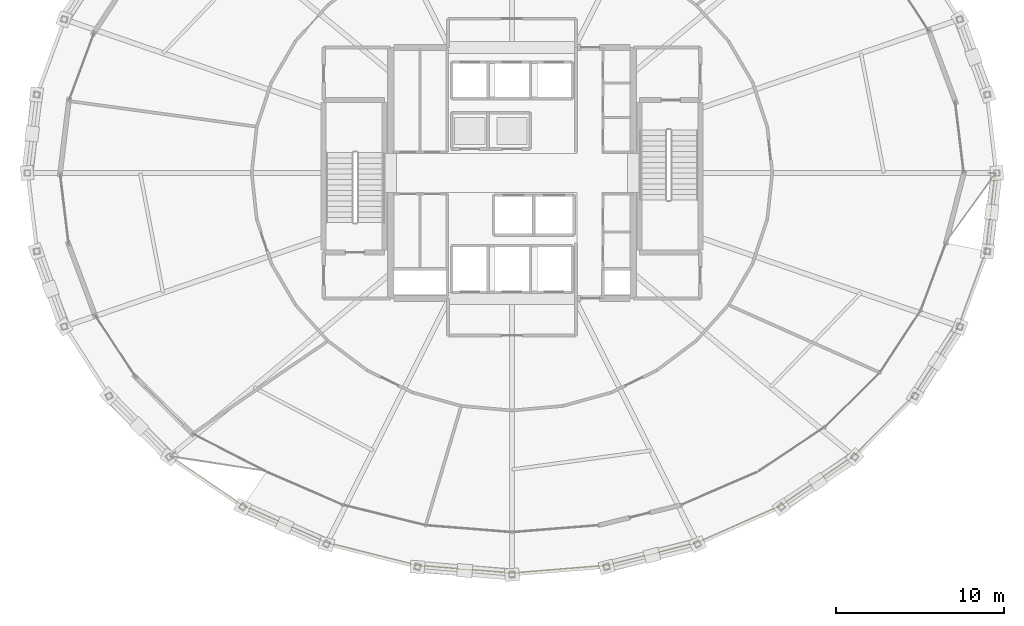
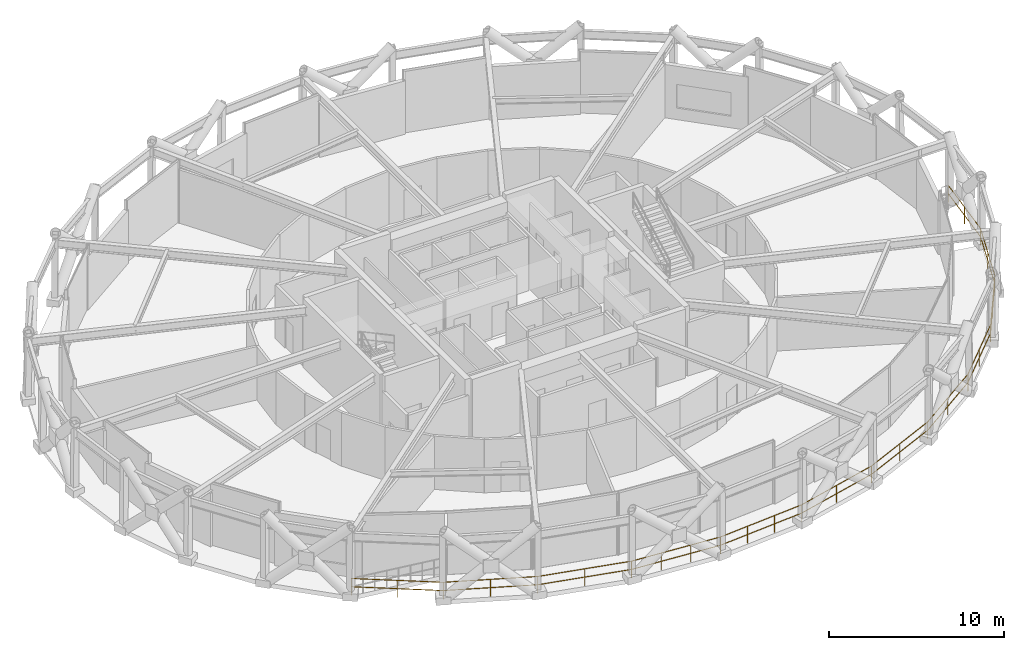
# One storey, part 37 of 39: 1 railing.
"""IFC4 building model written with IfcOpenShell, lengths in metres."""

from ifc_helpers import new_model, si_unit, direction, frame, origin, origin_2d, place, context, subcontext, project, spatial, circle, extrude, material, type_object, element, save


model = new_model("IFC4")

# Units and contexts
model_context = context("Model", 3, precision=1e-05, world=origin(), true_north=direction((0.0, 1.0)))
body_context = subcontext(model_context, "Body", "Model", "MODEL_VIEW")
ifc_project = project(units=[si_unit("LENGTHUNIT", "METRE"), si_unit("AREAUNIT", "SQUARE_METRE"), si_unit("VOLUMEUNIT", "CUBIC_METRE"), si_unit("PLANEANGLEUNIT", "RADIAN"), si_unit("MASSUNIT", "GRAM", prefix="KILO")], contexts=[model_context])

# Site, building, storey
site_placement = place(None, origin())
site = spatial("IfcSite", under=ifc_project, at=site_placement, CompositionType="ELEMENT")
building_placement = place(site_placement, origin())
building = spatial("IfcBuilding", under=site, at=building_placement, Name="Veldorina Hangang Commons", CompositionType="ELEMENT")
storey_placement = place(building_placement, frame((0.0, 0.0, 106.0)))
storey = spatial("IfcBuildingStorey", under=building, at=storey_placement, Name="L27", CompositionType="ELEMENT", Elevation=106.0)

# Railing
ifc_material = material(Name="Glass Laminated Safety Balustrade", Category="glass")
railing_type = type_object("IfcRailingType", Name="RL-BAL-LOGGIA", PredefinedType="BALUSTRADE", material=ifc_material)
railing_placement = place(storey_placement, frame((11.708984375, 7.187744140625, 0.0)))
element("IfcRailing", 1, at=railing_placement, inside=storey, type_object=railing_type, Name="L27 sky-garden loggia outer balustrade", PredefinedType="BALUSTRADE", context=body_context, shape_type="SweptSolid", body=[
    extrude(circle(Radius=0.02392578125, at=origin_2d()), frame((0.0, 0.0, 1.17578125), z_axis=(0.827270024058, -0.561804509856, 0.0), x_axis=(0.561804509856, 0.827270024058, 0.0)), (0.0, 0.0, 1.0), 5.2587890625),
    extrude(circle(Radius=0.02392578125, at=origin_2d()), frame((0.0, 0.0, 0.60009765625), z_axis=(0.827270024058, -0.561804509856, 0.0), x_axis=(0.561804509856, 0.827270024058, 0.0)), (0.0, 0.0, 1.0), 5.2587890625),
    extrude(circle(Radius=0.02392578125, at=origin_2d()), frame((4.350341796875, -2.954345703125, 1.17578125), z_axis=(0.914535657894, -0.404505290991, 0.0), x_axis=(0.404505290991, 0.914535657894, 0.0)), (0.0, 0.0, 1.0), 5.42529296875),
    extrude(circle(Radius=0.02392578125, at=origin_2d()), frame((4.350341796875, -2.954345703125, 0.60009765625), z_axis=(0.914535657894, -0.404505290991, 0.0), x_axis=(0.404505290991, 0.914535657894, 0.0)), (0.0, 0.0, 1.0), 5.42529296875),
    extrude(circle(Radius=0.02392578125, at=origin_2d()), frame((9.31201171875, -5.14892578125, 1.17578125), z_axis=(0.969919527408, -0.243425779967, 0.0), x_axis=(0.243425779967, 0.969919527408, 0.0)), (0.0, 0.0, 1.0), 5.54931640625),
    extrude(circle(Radius=0.02392578125, at=origin_2d()), frame((9.31201171875, -5.14892578125, 0.60009765625), z_axis=(0.969919527408, -0.243425779967, 0.0), x_axis=(0.243425779967, 0.969919527408, 0.0)), (0.0, 0.0, 1.0), 5.54931640625),
    extrude(circle(Radius=0.02392578125, at=origin_2d()), frame((14.6943359375, -6.499755859375, 1.17578125), z_axis=(0.99669640582, -0.081217452716, 0.0), x_axis=(0.081217452716, 0.99669640582, 0.0)), (0.0, 0.0, 1.0), 5.615234375),
    extrude(circle(Radius=0.02392578125, at=origin_2d()), frame((14.6943359375, -6.499755859375, 0.60009765625), z_axis=(0.99669640582, -0.081217452716, 0.0), x_axis=(0.081217452716, 0.99669640582, 0.0)), (0.0, 0.0, 1.0), 5.615234375),
    extrude(circle(Radius=0.02392578125, at=origin_2d()), frame((20.291015625, -6.955810546875, 1.17578125), z_axis=(0.99669640582, 0.081217452716, 0.0), x_axis=(-0.081217452716, 0.99669640582, 0.0)), (0.0, 0.0, 1.0), 5.615234375),
    extrude(circle(Radius=0.02392578125, at=origin_2d()), frame((20.291015625, -6.955810546875, 0.60009765625), z_axis=(0.99669640582, 0.081217452716, 0.0), x_axis=(-0.081217452716, 0.99669640582, 0.0)), (0.0, 0.0, 1.0), 5.615234375),
    extrude(circle(Radius=0.02392578125, at=origin_2d()), frame((25.8876953125, -6.499755859375, 1.17578125), z_axis=(0.969919527408, 0.243425779967, 0.0), x_axis=(-0.243425779967, 0.969919527408, 0.0)), (0.0, 0.0, 1.0), 5.54931640625),
    extrude(circle(Radius=0.02392578125, at=origin_2d()), frame((25.8876953125, -6.499755859375, 0.60009765625), z_axis=(0.969919527408, 0.243425779967, 0.0), x_axis=(-0.243425779967, 0.969919527408, 0.0)), (0.0, 0.0, 1.0), 5.54931640625),
    extrude(circle(Radius=0.02392578125, at=origin_2d()), frame((31.27001953125, -5.14892578125, 1.17578125), z_axis=(0.914535657894, 0.404505290991, 0.0), x_axis=(-0.404505290991, 0.914535657894, 0.0)), (0.0, 0.0, 1.0), 5.42529296875),
    extrude(circle(Radius=0.02392578125, at=origin_2d()), frame((31.27001953125, -5.14892578125, 0.60009765625), z_axis=(0.914535657894, 0.404505290991, 0.0), x_axis=(-0.404505290991, 0.914535657894, 0.0)), (0.0, 0.0, 1.0), 5.42529296875),
    extrude(circle(Radius=0.02392578125, at=origin_2d()), frame((36.231689453125, -2.954345703125, 1.17578125), z_axis=(0.827270024058, 0.561804509856, 0.0), x_axis=(-0.561804509856, 0.827270024058, 0.0)), (0.0, 0.0, 1.0), 5.2587890625),
    extrude(circle(Radius=0.02392578125, at=origin_2d()), frame((36.231689453125, -2.954345703125, 0.60009765625), z_axis=(0.827270024058, 0.561804509856, 0.0), x_axis=(-0.561804509856, 0.827270024058, 0.0)), (0.0, 0.0, 1.0), 5.2587890625),
    extrude(circle(Radius=0.02392578125, at=origin_2d()), frame((40.58203125, 0.0, 1.17578125), z_axis=(0.704091852844, 0.710108909083, 0.0), x_axis=(-0.710108909083, 0.704091852844, 0.0)), (0.0, 0.0, 1.0), 5.07177734375),
    extrude(circle(Radius=0.02392578125, at=origin_2d()), frame((40.58203125, 0.0, 0.60009765625), z_axis=(0.704091852844, 0.710108909083, 0.0), x_axis=(-0.710108909083, 0.704091852844, 0.0)), (0.0, 0.0, 1.0), 5.07177734375),
    extrude(circle(Radius=0.02392578125, at=origin_2d()), frame((44.153076171875, 3.6015625, 1.17578125), z_axis=(0.542446202834, 0.840090540972, 0.0), x_axis=(-0.840090540972, 0.542446202834, 0.0)), (0.0, 0.0, 1.0), 4.892822265625),
    extrude(circle(Radius=0.02392578125, at=origin_2d()), frame((44.153076171875, 3.6015625, 0.60009765625), z_axis=(0.542446202834, 0.840090540972, 0.0), x_axis=(-0.840090540972, 0.542446202834, 0.0)), (0.0, 0.0, 1.0), 4.892822265625),
    extrude(circle(Radius=0.02392578125, at=origin_2d()), frame((46.80712890625, 7.7119140625, 1.17578125), z_axis=(0.344085535437, 0.938938306974, 0.0), x_axis=(-0.938938306974, 0.344085535437, 0.0)), (0.0, 0.0, 1.0), 4.7509765625),
    extrude(circle(Radius=0.02392578125, at=origin_2d()), frame((46.80712890625, 7.7119140625, 0.60009765625), z_axis=(0.344085535437, 0.938938306974, 0.0), x_axis=(-0.938938306974, 0.344085535437, 0.0)), (0.0, 0.0, 1.0), 4.7509765625),
    extrude(circle(Radius=0.02392578125, at=origin_2d()), frame((48.44189453125, 12.1728515625, 1.17578125), z_axis=(0.118147870551, 0.992996012421, 0.0), x_axis=(-0.992996012421, 0.118147870551, 0.0)), (0.0, 0.0, 1.0), 4.672119140625),
    extrude(circle(Radius=0.02392578125, at=origin_2d()), frame((48.44189453125, 12.1728515625, 0.60009765625), z_axis=(0.118147870551, 0.992996012421, 0.0), x_axis=(-0.992996012421, 0.118147870551, 0.0)), (0.0, 0.0, 1.0), 4.672119140625),
    extrude(circle(Radius=0.02099609375, at=origin_2d()), origin(), (0.0, 0.0, 1.0), 1.15185546875),
    extrude(circle(Radius=0.02099609375, at=origin_2d()), frame((2.17529296875, -1.47705078125, 0.0)), (0.0, 0.0, 1.0), 1.15185546875),
    extrude(circle(Radius=0.02099609375, at=origin_2d()), frame((4.350341796875, -2.954345703125, 0.0)), (0.0, 0.0, 1.0), 1.15185546875),
    extrude(circle(Radius=0.02099609375, at=origin_2d()), frame((6.8310546875, -4.0517578125, 0.0)), (0.0, 0.0, 1.0), 1.15185546875),
    extrude(circle(Radius=0.02099609375, at=origin_2d()), frame((9.31201171875, -5.14892578125, 0.0)), (0.0, 0.0, 1.0), 1.15185546875),
    extrude(circle(Radius=0.02099609375, at=origin_2d()), frame((12.003173828125, -5.82421875, 0.0)), (0.0, 0.0, 1.0), 1.15185546875),
    extrude(circle(Radius=0.02099609375, at=origin_2d()), frame((14.6943359375, -6.499755859375, 0.0)), (0.0, 0.0, 1.0), 1.15185546875),
    extrude(circle(Radius=0.02099609375, at=origin_2d()), frame((16.559814453125, -6.65185546875, 0.0)), (0.0, 0.0, 1.0), 1.15185546875),
    extrude(circle(Radius=0.02099609375, at=origin_2d()), frame((18.425537109375, -6.8037109375, 0.0)), (0.0, 0.0, 1.0), 1.15185546875),
    extrude(circle(Radius=0.02099609375, at=origin_2d()), frame((20.291015625, -6.955810546875, 0.0)), (0.0, 0.0, 1.0), 1.15185546875),
    extrude(circle(Radius=0.02099609375, at=origin_2d()), frame((22.156494140625, -6.8037109375, 0.0)), (0.0, 0.0, 1.0), 1.15185546875),
    extrude(circle(Radius=0.02099609375, at=origin_2d()), frame((24.022216796875, -6.65185546875, 0.0)), (0.0, 0.0, 1.0), 1.15185546875),
    extrude(circle(Radius=0.02099609375, at=origin_2d()), frame((25.8876953125, -6.499755859375, 0.0)), (0.0, 0.0, 1.0), 1.15185546875),
    extrude(circle(Radius=0.02099609375, at=origin_2d()), frame((28.578857421875, -5.82421875, 0.0)), (0.0, 0.0, 1.0), 1.15185546875),
    extrude(circle(Radius=0.02099609375, at=origin_2d()), frame((31.27001953125, -5.14892578125, 0.0)), (0.0, 0.0, 1.0), 1.15185546875),
    extrude(circle(Radius=0.02099609375, at=origin_2d()), frame((33.7509765625, -4.0517578125, 0.0)), (0.0, 0.0, 1.0), 1.15185546875),
    extrude(circle(Radius=0.02099609375, at=origin_2d()), frame((36.231689453125, -2.954345703125, 0.0)), (0.0, 0.0, 1.0), 1.15185546875),
    extrude(circle(Radius=0.02099609375, at=origin_2d()), frame((38.40673828125, -1.47705078125, 0.0)), (0.0, 0.0, 1.0), 1.15185546875),
    extrude(circle(Radius=0.02099609375, at=origin_2d()), frame((40.58203125, 0.0, 0.0)), (0.0, 0.0, 1.0), 1.15185546875),
    extrude(circle(Radius=0.02099609375, at=origin_2d()), frame((42.36767578125, 1.80078125, 0.0)), (0.0, 0.0, 1.0), 1.15185546875),
    extrude(circle(Radius=0.02099609375, at=origin_2d()), frame((44.153076171875, 3.6015625, 0.0)), (0.0, 0.0, 1.0), 1.15185546875),
    extrude(circle(Radius=0.02099609375, at=origin_2d()), frame((45.47998046875, 5.65673828125, 0.0)), (0.0, 0.0, 1.0), 1.15185546875),
    extrude(circle(Radius=0.02099609375, at=origin_2d()), frame((46.80712890625, 7.7119140625, 0.0)), (0.0, 0.0, 1.0), 1.15185546875),
    extrude(circle(Radius=0.02099609375, at=origin_2d()), frame((47.62451171875, 9.9423828125, 0.0)), (0.0, 0.0, 1.0), 1.15185546875),
    extrude(circle(Radius=0.02099609375, at=origin_2d()), frame((48.44189453125, 12.1728515625, 0.0)), (0.0, 0.0, 1.0), 1.15185546875),
    extrude(circle(Radius=0.02099609375, at=origin_2d()), frame((48.7177734375, 14.49267578125, 0.0)), (0.0, 0.0, 1.0), 1.15185546875),
    extrude(circle(Radius=0.02099609375, at=origin_2d()), frame((48.993896484375, 16.812255859375, 0.0)), (0.0, 0.0, 1.0), 1.15185546875),
])

save(model, "model.ifc")
